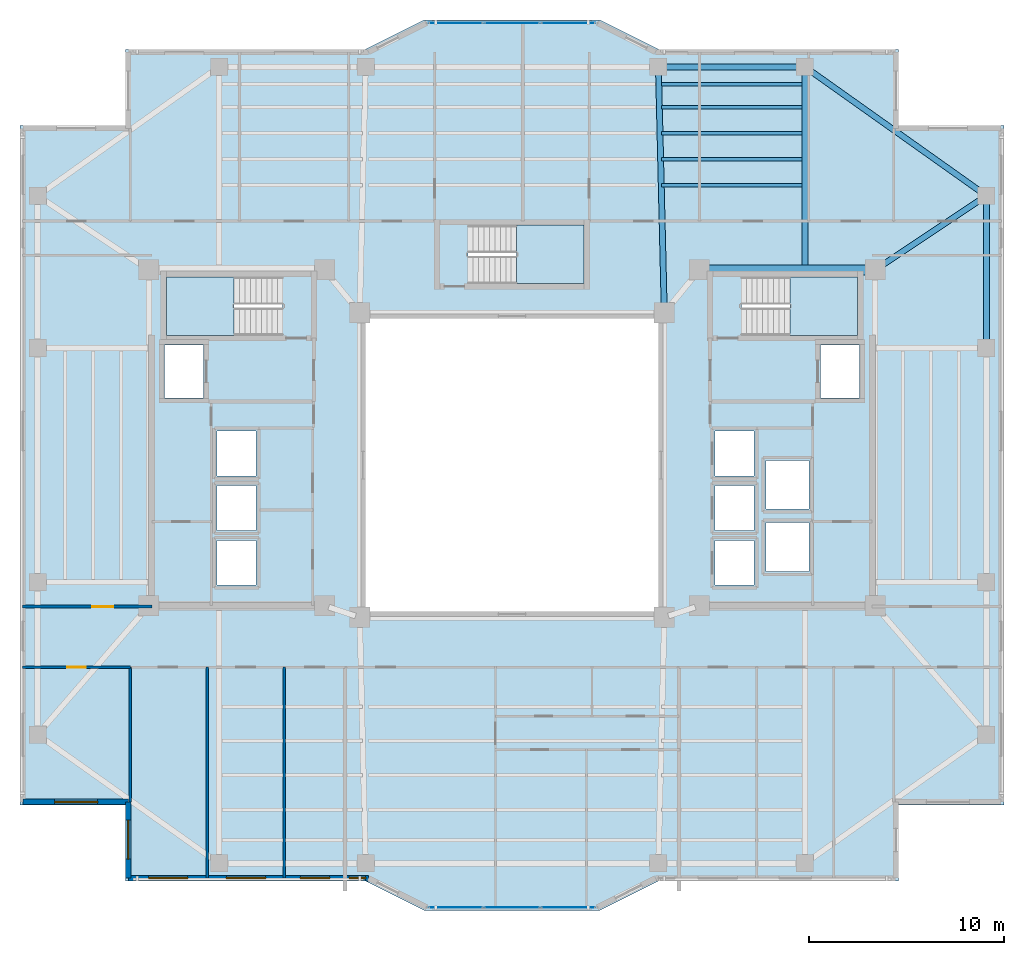
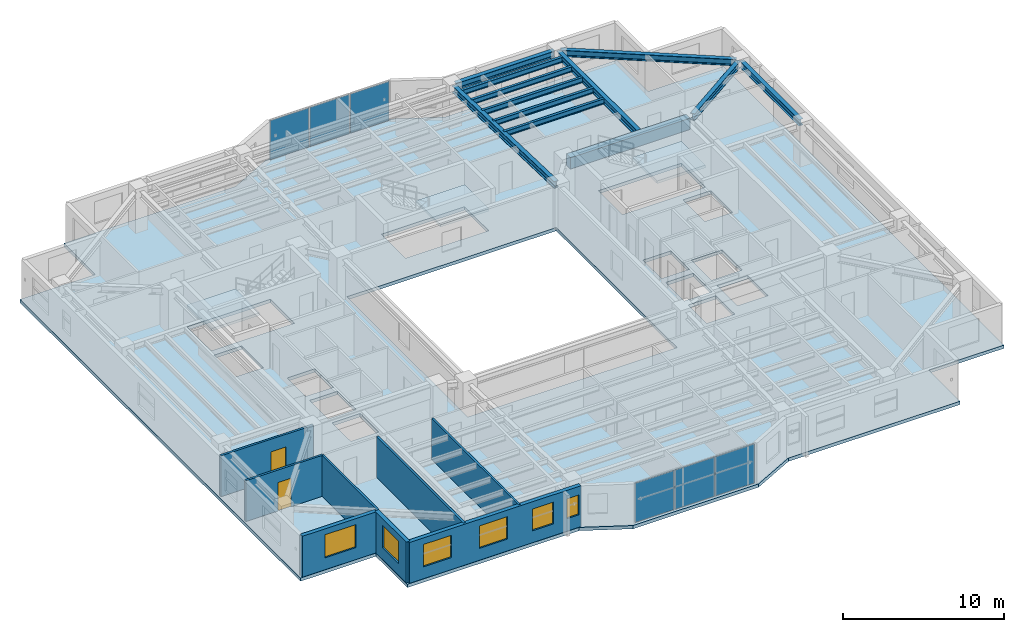
# One storey, part 5 of 15: 12 beams, 8 walls, 6 plates, 6 windows, 4 slabs, 2 doors, 8 openings, 5 elements without a shape of their own.
"""IFC4 building model written with IfcOpenShell, lengths in metres."""

from ifc_helpers import new_model, si_unit, direction, frame, frame_2d, origin, origin_2d, place, context, subcontext, project, spatial, polyline, rectangle, i_section, outline, extrude, material, layer, layer_set, material_profile, profile_set, type_object, element, fill, aggregate, save


model = new_model("IFC4")

# Units and contexts
model_context = context("Model", 3, precision=1e-05, world=origin(), true_north=direction((0.0, 1.0)))
body_context = subcontext(model_context, "Body", "Model", "MODEL_VIEW")
ifc_project = project(units=[si_unit("LENGTHUNIT", "METRE"), si_unit("AREAUNIT", "SQUARE_METRE"), si_unit("VOLUMEUNIT", "CUBIC_METRE"), si_unit("PLANEANGLEUNIT", "RADIAN"), si_unit("MASSUNIT", "GRAM", prefix="KILO")], contexts=[model_context])

# Site, building, storey
site_placement = place(None, origin())
site = spatial("IfcSite", under=ifc_project, at=site_placement, CompositionType="ELEMENT")
building_placement = place(site_placement, origin())
building = spatial("IfcBuilding", under=site, at=building_placement, Name="Tarnavaz Court Tower", CompositionType="ELEMENT")
storey_placement = place(building_placement, frame((0.0, 0.0, 139.300048828125)))
storey = spatial("IfcBuildingStorey", under=building, at=storey_placement, Name="L37", CompositionType="ELEMENT", Elevation=139.300048828125)

# Beams
ifc_material_1 = material(Name="Concrete C50/60", Category="concrete")
ifc_material_profile_1 = material_profile(ifc_material_1, rectangle(XDim=0.5, YDim=0.85009765625, at=origin_2d()), Name="RC 500X850")
ifc_profile_set_1 = profile_set([ifc_material_profile_1], Name="Concrete C50/60")
beam_type_1 = type_object("IfcBeamType", Name="BM-CB850", PredefinedType="LINTEL", material=ifc_profile_set_1)
beam_1_placement = place(storey_placement, frame((18.3798828125, 10.0, 2.675048828125), z_axis=(-1.0, 0.0, 0.0), x_axis=(0.0, -1.0, 0.0)))
element("IfcBeam", 1, at=beam_1_placement, inside=storey, type_object=beam_type_1, Name="L37 Beam IN-CE-NO-CE-NI", PredefinedType="LINTEL", context=body_context, shape_type="SweptSolid", body=[
    extrude(rectangle(XDim=0.5, YDim=0.85009765625, at=origin_2d()), origin(), (0.0, 0.0, 1.0), 8.559814453125),
])
ifc_material_2 = material(Name="Steel S355", Category="steel")
ifc_material_profile_2 = material_profile(ifc_material_2, i_section(OverallWidth=0.300048828125, OverallDepth=0.5, WebThickness=0.014404296875, FlangeThickness=0.028076171875, FilletRadius=0.027099609375, at=origin_2d()), Name="HEB 500")
ifc_profile_set_2 = profile_set([ifc_material_profile_2], Name="Steel S355")
beam_type_2 = type_object("IfcBeamType", Name="BM-G-HEB500", PredefinedType="USERDEFINED", material=ifc_profile_set_2)
beam_2_placement = place(storey_placement, frame((7.794921875, 8.02001953125, 2.849853515625), z_axis=(-0.023824748444, 0.999716150395, 0.0), x_axis=(-0.999716150395, -0.023824748444, 0.0)))
element("IfcBeam", 2, at=beam_2_placement, inside=storey, type_object=beam_type_2, Name="L37 Beam RG-03", ObjectType="GIRDER", PredefinedType="USERDEFINED", context=body_context, shape_type="SweptSolid", body=[
    extrude(i_section(OverallWidth=0.300048828125, OverallDepth=0.5, WebThickness=0.014404296875, FlangeThickness=0.028076171875, FilletRadius=0.027099609375, at=origin_2d()), origin(), (0.0, 0.0, 1.0), 12.16357421875),
])
beam_3_placement = place(storey_placement, frame((15.0, 10.0400390625, 2.849853515625), z_axis=(0.0, 1.0, 0.0), x_axis=(-1.0, 0.0, 0.0)))
element("IfcBeam", 3, at=beam_3_placement, inside=storey, type_object=beam_type_2, Name="L37 Beam RG-04", ObjectType="GIRDER", PredefinedType="USERDEFINED", context=body_context, shape_type="SweptSolid", body=[
    extrude(i_section(OverallWidth=0.300048828125, OverallDepth=0.5, WebThickness=0.014404296875, FlangeThickness=0.028076171875, FilletRadius=0.027099609375, at=origin_2d()), origin(), (0.0, 0.0, 1.0), 10.139892578125),
])
beam_4_placement = place(storey_placement, frame((18.783203125, 10.1220703125, 2.849853515625), z_axis=(0.832044435051, 0.554708985056, 0.0), x_axis=(-0.554708985056, 0.832044435051, 0.0)))
element("IfcBeam", 4, at=beam_4_placement, inside=storey, type_object=beam_type_2, Name="L37 Beam RG-12", ObjectType="GIRDER", PredefinedType="USERDEFINED", context=body_context, shape_type="SweptSolid", body=[
    extrude(i_section(OverallWidth=0.300048828125, OverallDepth=0.5, WebThickness=0.014404296875, FlangeThickness=0.028076171875, FilletRadius=0.027099609375, at=origin_2d()), origin(), (0.0, 0.0, 1.0), 6.410400390625),
])
ifc_material_profile_3 = material_profile(ifc_material_2, i_section(OverallWidth=0.179931640625, OverallDepth=0.39990234375, WebThickness=0.008544921875, FlangeThickness=0.013427734375, FilletRadius=0.02099609375, at=origin_2d()), Name="IPE 400")
ifc_profile_set_3 = profile_set([ifc_material_profile_3], Name="Steel S355")
beam_type_3 = type_object("IfcBeamType", Name="BM-J-IPE400", PredefinedType="JOIST", material=ifc_profile_set_3)
for number, where, z_axis, x_axis, name in (
    (5, (7.64990234375, 14.33203125, 2.89990234375), (1.0, 0.0, 0.0), (0.0, 1.0, 0.0), "L37 Beam JN1-3"),
    (6, (7.64990234375, 15.6640625, 2.89990234375), (1.0, 0.0, 0.0), (0.0, 1.0, 0.0), "L37 Beam JN2-3"),
    (7, (7.64990234375, 16.99609375, 2.89990234375), (1.0, 0.0, 0.0), (0.0, 1.0, 0.0), "L37 Beam JN3-3"),
    (8, (7.64990234375, 18.327880859375, 2.89990234375), (1.0, 0.0, 0.0), (0.0, 1.0, 0.0), "L37 Beam JN4-3"),
    (9, (7.64990234375, 19.511962890625, 2.89990234375), (1.0, 0.0, 0.0), (0.0, 1.0, 0.0), "L37 Beam JN5-3"),
):
    element("IfcBeam", number, at=place(storey_placement, frame(where, z_axis=z_axis, x_axis=x_axis)), inside=storey, type_object=beam_type_3, Name=name, PredefinedType="JOIST", context=body_context, shape_type="SweptSolid", body=[
        extrude(i_section(OverallWidth=0.179931640625, OverallDepth=0.39990234375, WebThickness=0.008544921875, FlangeThickness=0.013427734375, FilletRadius=0.02099609375, at=origin_2d()), origin(), (0.0, 0.0, 1.0), 7.2001953125),
    ])
ifc_material_profile_4 = material_profile(ifc_material_2, i_section(OverallWidth=0.300048828125, OverallDepth=0.489990234375, WebThickness=0.011962890625, FlangeThickness=0.02294921875, FilletRadius=0.027099609375, at=origin_2d()), Name="HEA 500")
ifc_profile_set_4 = profile_set([ifc_material_profile_4], Name="Steel S355")
beam_type_4 = type_object("IfcBeamType", Name="BM-SP-HEA500", PredefinedType="SPANDREL", material=ifc_profile_set_4)
beam_5_placement = place(storey_placement, frame((7.719970703125, 20.39990234375, 2.85498046875), z_axis=(1.0, 0.0, 0.0), x_axis=(0.0, 1.0, 0.0)))
element("IfcBeam", 10, at=beam_5_placement, inside=storey, type_object=beam_type_4, Name="L37 Beam PR-PN-3-PN-4", PredefinedType="SPANDREL", context=body_context, shape_type="SweptSolid", body=[
    extrude(i_section(OverallWidth=0.300048828125, OverallDepth=0.489990234375, WebThickness=0.011962890625, FlangeThickness=0.02294921875, FilletRadius=0.027099609375, at=origin_2d()), origin(), (0.0, 0.0, 1.0), 7.06005859375),
])
beam_6_placement = place(storey_placement, frame((24.300048828125, 6.219970703125, 2.85498046875), z_axis=(0.0, 1.0, 0.0), x_axis=(-1.0, 0.0, 0.0)))
element("IfcBeam", 11, at=beam_6_placement, inside=storey, type_object=beam_type_4, Name="L37 Beam PR-PE-3-PE-4", PredefinedType="SPANDREL", context=body_context, shape_type="SweptSolid", body=[
    extrude(i_section(OverallWidth=0.300048828125, OverallDepth=0.489990234375, WebThickness=0.011962890625, FlangeThickness=0.02294921875, FilletRadius=0.027099609375, at=origin_2d()), origin(), (0.0, 0.0, 1.0), 7.360107421875),
])
beam_7_placement = place(storey_placement, frame((15.179443359375, 20.272705078125, 2.85498046875), z_axis=(0.815502059396, -0.57875417158, 0.0), x_axis=(0.57875417158, 0.815502059396, 0.0)))
element("IfcBeam", 12, at=beam_7_placement, inside=storey, type_object=beam_type_4, Name="L37 Beam PR-PN-4-PE-4", PredefinedType="SPANDREL", context=body_context, shape_type="SweptSolid", body=[
    extrude(i_section(OverallWidth=0.300048828125, OverallDepth=0.489990234375, WebThickness=0.011962890625, FlangeThickness=0.02294921875, FilletRadius=0.027099609375, at=origin_2d()), origin(), (0.0, 0.0, 1.0), 10.964111328125),
])

# Curtain wall, plates
ifc_material_3 = material(Name="Anodised Aluminium 6063-T6 and Solar Low-E Glazing", Category="aluminium")
ifc_layer_1 = layer(ifc_material_3, 0.159912109375)
ifc_layer_set_1 = layer_set([ifc_layer_1], Name="Anodised Aluminium 6063-T6 and Solar Low-E Glazing")
curtain_wall_type = type_object("IfcCurtainWallType", Name="CW-SYS-03", PredefinedType="NOTDEFINED", material=ifc_layer_set_1)
curtain_wall_1_placement = place(storey_placement, origin())
curtain_wall_1 = element("IfcCurtainWall", 13, at=curtain_wall_1_placement, inside=storey, type_object=curtain_wall_type, Name="L37 Iwan Prow Curtain Wall 7", PredefinedType="NOTDEFINED")
ifc_material_4 = material(Name="Double-Glazed Solar Low-E Glass", Category="glass")
ifc_layer_2 = layer(ifc_material_4, 0.028076171875)
ifc_layer_set_2 = layer_set([ifc_layer_2], Name="Double-Glazed Solar Low-E Glass")
plate_type = type_object("IfcPlateType", Name="CW-PAN-GLZ28", PredefinedType="CURTAIN_PANEL", material=ifc_layer_set_2)
plate_1_placement = place(storey_placement, frame((-2.88134765625, 22.64990234375, 0.06494140625), z_axis=(0.0, 0.0, 1.0), x_axis=(1.0, 0.0, 0.0)))
plate_1 = element("IfcPlate", 14, at=plate_1_placement, type_object=plate_type, Name="CW panel 1.1", PredefinedType="CURTAIN_PANEL", context=body_context, shape_type="SweptSolid", body=[
    extrude(rectangle(XDim=2.78759765625, YDim=0.028076171875, at=origin_2d()), origin(), (0.0, 0.0, 1.0), 2.969970703125),
])
plate_2_placement = place(storey_placement, frame((0.0, 22.64990234375, 0.06494140625), z_axis=(0.0, 0.0, 1.0), x_axis=(1.0, 0.0, 0.0)))
plate_2 = element("IfcPlate", 15, at=plate_2_placement, type_object=plate_type, Name="CW panel 2.1", PredefinedType="CURTAIN_PANEL", context=body_context, shape_type="SweptSolid", body=[
    extrude(rectangle(XDim=2.824951171875, YDim=0.028076171875, at=origin_2d()), origin(), (0.0, 0.0, 1.0), 2.969970703125),
])
plate_3_placement = place(storey_placement, frame((2.88134765625, 22.64990234375, 0.06494140625), z_axis=(0.0, 0.0, 1.0), x_axis=(1.0, 0.0, 0.0)))
plate_3 = element("IfcPlate", 16, at=plate_3_placement, type_object=plate_type, Name="CW panel 3.1", PredefinedType="CURTAIN_PANEL", context=body_context, shape_type="SweptSolid", body=[
    extrude(rectangle(XDim=2.78759765625, YDim=0.028076171875, at=origin_2d()), origin(), (0.0, 0.0, 1.0), 2.969970703125),
])
aggregate(curtain_wall_1, [plate_1, plate_2, plate_3])

curtain_wall_2_placement = place(storey_placement, origin())
curtain_wall_2 = element("IfcCurtainWall", 17, at=curtain_wall_2_placement, inside=storey, type_object=curtain_wall_type, Name="L37 Iwan Prow Curtain Wall 17", PredefinedType="NOTDEFINED")
plate_4_placement = place(storey_placement, frame((2.88134765625, -22.64990234375, 0.06494140625), z_axis=(0.0, 0.0, 1.0), x_axis=(-1.0, 0.0, 0.0)))
plate_4 = element("IfcPlate", 18, at=plate_4_placement, type_object=plate_type, Name="CW panel 1.1", PredefinedType="CURTAIN_PANEL", context=body_context, shape_type="SweptSolid", body=[
    extrude(rectangle(XDim=2.78759765625, YDim=0.028076171875, at=origin_2d()), origin(), (0.0, 0.0, 1.0), 2.969970703125),
])
plate_5_placement = place(storey_placement, frame((0.0, -22.64990234375, 0.06494140625), z_axis=(0.0, 0.0, 1.0), x_axis=(-1.0, 0.0, 0.0)))
plate_5 = element("IfcPlate", 19, at=plate_5_placement, type_object=plate_type, Name="CW panel 2.1", PredefinedType="CURTAIN_PANEL", context=body_context, shape_type="SweptSolid", body=[
    extrude(rectangle(XDim=2.824951171875, YDim=0.028076171875, at=origin_2d()), origin(), (0.0, 0.0, 1.0), 2.969970703125),
])
plate_6_placement = place(storey_placement, frame((-2.88134765625, -22.64990234375, 0.06494140625), z_axis=(0.0, 0.0, 1.0), x_axis=(-1.0, 0.0, 0.0)))
plate_6 = element("IfcPlate", 20, at=plate_6_placement, type_object=plate_type, Name="CW panel 3.1", PredefinedType="CURTAIN_PANEL", context=body_context, shape_type="SweptSolid", body=[
    extrude(rectangle(XDim=2.78759765625, YDim=0.028076171875, at=origin_2d()), origin(), (0.0, 0.0, 1.0), 2.969970703125),
])
aggregate(curtain_wall_2, [plate_4, plate_5, plate_6])

# Stair, slab
ifc_material_5 = material(Name="Concrete C40/50", Category="concrete")
stair_type = type_object("IfcStairType", Name="ST-TWR-20R", PredefinedType="HALF_TURN_STAIR", material=ifc_material_5)
stair_1_placement = place(storey_placement, origin())
stair_1 = element("IfcStair", 21, at=stair_1_placement, inside=storey, type_object=stair_type, Name="L37 West Core Pressurized Exit Stair ST-W1", PredefinedType="HALF_TURN_STAIR")
ifc_layer_3 = layer(ifc_material_5, 0.199951171875)
ifc_layer_set_3 = layer_set([ifc_layer_3], Name="Concrete C40/50")
slab_type_1 = type_object("IfcSlabType", Name="SL-LAND-200", PredefinedType="LANDING", material=ifc_layer_set_3)
slab_1_placement = place(storey_placement, frame((0.0, 0.0, 1.474853515625)))
slab_1 = element("IfcSlab", 22, at=slab_1_placement, type_object=slab_type_1, Name="ST-W1 landing 1", PredefinedType="LANDING", context=body_context, shape_type="SweptSolid", body=[
    extrude(outline(polyline([(-14.239990234375, 9.639892578125), (-17.699951171875, 9.639892578125), (-17.699951171875, 6.64990234375), (-14.239990234375, 6.64990234375), (-14.239990234375, 9.639892578125)])), origin(), (0.0, 0.0, 1.0), 0.2001953125),
])
aggregate(stair_1, [slab_1])

stair_2_placement = place(storey_placement, origin())
stair_2 = element("IfcStair", 23, at=stair_2_placement, inside=storey, type_object=stair_type, Name="L37 East Core Pressurized Exit Stair ST-E1", PredefinedType="HALF_TURN_STAIR")
slab_2_placement = place(storey_placement, frame((0.0, 0.0, 1.474853515625)))
slab_2 = element("IfcSlab", 24, at=slab_2_placement, type_object=slab_type_1, Name="ST-E1 landing 1", PredefinedType="LANDING", context=body_context, shape_type="SweptSolid", body=[
    extrude(outline(polyline([(14.239990234375, 6.64990234375), (17.699951171875, 6.64990234375), (17.699951171875, 9.639892578125), (14.239990234375, 9.639892578125), (14.239990234375, 6.64990234375)])), origin(), (0.0, 0.0, 1.0), 0.2001953125),
])
aggregate(stair_2, [slab_2])

stair_3_placement = place(storey_placement, origin())
stair_3 = element("IfcStair", 25, at=stair_3_placement, inside=storey, type_object=stair_type, Name="L37 North Ring Pressurized Exit Stair ST-N1", PredefinedType="HALF_TURN_STAIR")
slab_3_placement = place(storey_placement, frame((0.0, 0.0, 1.474853515625)))
slab_3 = element("IfcSlab", 26, at=slab_3_placement, type_object=slab_type_1, Name="ST-N1 landing 1", PredefinedType="LANDING", context=body_context, shape_type="SweptSolid", body=[
    extrude(outline(polyline([(0.239990234375, 9.300048828125), (3.699951171875, 9.300048828125), (3.699951171875, 12.2900390625), (0.239990234375, 12.2900390625), (0.239990234375, 9.300048828125)])), origin(), (0.0, 0.0, 1.0), 0.2001953125),
])
aggregate(stair_3, [slab_3])

# Slab
ifc_layer_4 = layer(ifc_material_5, 0.25)
ifc_layer_set_4 = layer_set([ifc_layer_4], Name="Concrete C40/50")
slab_type_2 = type_object("IfcSlabType", Name="SL-RES-250", PredefinedType="FLOOR", material=ifc_layer_set_4)
slab_4_placement = place(storey_placement, frame((0.0, 0.0, -0.25)))
element("IfcSlab", 27, at=slab_4_placement, inside=storey, type_object=slab_type_2, Name="L37 Structural Floor Slab", PredefinedType="FLOOR", context=body_context, shape_type="SweptSolid", body=[
    extrude(outline(polyline([(-19.800048828125, -21.300048828125), (-7.5, -21.300048828125), (-4.5, -22.800048828125), (4.5, -22.800048828125), (7.5, -21.300048828125), (19.800048828125, -21.300048828125), (19.800048828125, -17.39990234375), (25.199951171875, -17.39990234375), (25.199951171875, 17.39990234375), (19.800048828125, 17.39990234375), (19.800048828125, 21.300048828125), (7.5, 21.300048828125), (4.5, 22.800048828125), (-4.5, 22.800048828125), (-7.5, 21.300048828125), (-19.800048828125, 21.300048828125), (-19.800048828125, 17.39990234375), (-25.199951171875, 17.39990234375), (-25.199951171875, -17.39990234375), (-19.800048828125, -17.39990234375), (-19.800048828125, -21.300048828125)]), holes=[polyline([(-7.5, -7.5), (7.5, -7.5), (7.5, 7.5), (-7.5, 7.5), (-7.5, -7.5)]), polyline([(-11.7451171875, 9.639892578125), (-17.699951171875, 9.639892578125), (-17.699951171875, 6.64990234375), (-11.7451171875, 6.64990234375), (-11.7451171875, 9.639892578125)]), polyline([(11.7451171875, 6.64990234375), (17.699951171875, 6.64990234375), (17.699951171875, 9.639892578125), (11.7451171875, 9.639892578125), (11.7451171875, 6.64990234375)]), polyline([(-2.2548828125, 9.300048828125), (3.699951171875, 9.300048828125), (3.699951171875, 12.2900390625), (-2.2548828125, 12.2900390625), (-2.2548828125, 9.300048828125)]), polyline([(-17.800048828125, 3.449951171875), (-15.800048828125, 3.449951171875), (-15.800048828125, 6.14990234375), (-17.800048828125, 6.14990234375), (-17.800048828125, 3.449951171875)]), polyline([(-15.10009765625, -6.14990234375), (-13.10009765625, -6.14990234375), (-13.10009765625, -3.85009765625), (-15.10009765625, -3.85009765625), (-15.10009765625, -6.14990234375)]), polyline([(-15.10009765625, -3.35009765625), (-13.10009765625, -3.35009765625), (-13.10009765625, -1.050048828125), (-15.10009765625, -1.050048828125), (-15.10009765625, -3.35009765625)]), polyline([(-15.10009765625, -0.550048828125), (-13.10009765625, -0.550048828125), (-13.10009765625, 1.75), (-15.10009765625, 1.75), (-15.10009765625, -0.550048828125)]), polyline([(15.800048828125, 3.449951171875), (17.800048828125, 3.449951171875), (17.800048828125, 6.14990234375), (15.800048828125, 6.14990234375), (15.800048828125, 3.449951171875)]), polyline([(10.39990234375, -6.14990234375), (12.39990234375, -6.14990234375), (12.39990234375, -3.85009765625), (10.39990234375, -3.85009765625), (10.39990234375, -6.14990234375)]), polyline([(10.39990234375, -3.35009765625), (12.39990234375, -3.35009765625), (12.39990234375, -1.050048828125), (10.39990234375, -1.050048828125), (10.39990234375, -3.35009765625)]), polyline([(10.39990234375, -0.550048828125), (12.39990234375, -0.550048828125), (12.39990234375, 1.75), (10.39990234375, 1.75), (10.39990234375, -0.550048828125)]), polyline([(13.0, -5.449951171875), (15.199951171875, -5.449951171875), (15.199951171875, -2.949951171875), (13.0, -2.949951171875), (13.0, -5.449951171875)]), polyline([(13.0, -2.25), (15.199951171875, -2.25), (15.199951171875, 0.25), (13.0, 0.25), (13.0, -2.25)])]), origin(), (0.0, 0.0, 1.0), 0.25),
])

# Wall, opening, window
ifc_material_6 = material(Name="Precast Concrete C40/50", Category="concrete")
ifc_layer_5 = layer(ifc_material_6, 0.280029296875)
ifc_layer_set_5 = layer_set([ifc_layer_5], Name="Precast Concrete C40/50")
wall_type_1 = type_object("IfcWallType", Name="WL-EXT-280", PredefinedType="SOLIDWALL", material=ifc_layer_set_5)
wall_1_placement = place(storey_placement, frame((-19.64990234375, -17.25, 0.0), z_axis=(0.0, 0.0, 1.0), x_axis=(-1.0, 0.0, 0.0)))
wall_1 = element("IfcWall", 28, at=wall_1_placement, inside=storey, type_object=wall_type_1, Name="L37 Exterior Terracotta Facade Wall 01", PredefinedType="SOLIDWALL", context=body_context, shape_type="SweptSolid", body=[
    extrude(rectangle(XDim=5.400146484375, YDim=0.280029296875, at=frame_2d((2.7001953125, 0.0))), origin(), (0.0, 0.0, 1.0), 3.099853515625),
])
opening_1_placement = place(wall_1_placement, frame((1.574951171875, 0.0, 0.89990234375)))
opening_1 = element("IfcOpeningElement", 29, at=opening_1_placement, cuts=wall_1, Name="Opening W07", PredefinedType="OPENING", context=body_context, shape_type="SweptSolid", body=[
    extrude(rectangle(XDim=2.199951171875, YDim=1.75, at=frame_2d((1.10009765625, 0.875))), frame((0.0, 0.14990234375, 0.0), z_axis=(0.0, -1.0, 0.0), x_axis=(1.0, 0.0, 0.0)), (0.0, 0.0, 1.0), 0.300048828125),
])
window_type_1 = type_object("IfcWindowType", Name="WN-APT-2200", PartitioningType="TRIPLE_PANEL_VERTICAL", PredefinedType="WINDOW", material=ifc_material_4)
window_1_placement = place(opening_1_placement, origin())
window_1 = element("IfcWindow", 30, at=window_1_placement, inside=storey, type_object=window_type_1, Name="L37 South-West Corner Reading Room Window", OverallHeight=1.75, OverallWidth=2.199951171875, PartitioningType="SINGLE_PANEL", PredefinedType="WINDOW", context=body_context, shape_type="SweptSolid", body=[
    extrude(rectangle(XDim=2.199951171875, YDim=1.75, at=frame_2d((1.10009765625, 0.875))), frame((0.0, 0.030029296875, 0.0), z_axis=(0.0, -1.0, 0.0), x_axis=(1.0, 0.0, 0.0)), (0.0, 0.0, 1.0), 0.06005859375),
])
fill(opening_1, window_1)

# Wall, openings, windows
wall_2_placement = place(storey_placement, frame((-7.35009765625, -21.14990234375, 0.0), z_axis=(0.0, 0.0, 1.0), x_axis=(-1.0, 0.0, 0.0)))
wall_2 = element("IfcWall", 31, at=wall_2_placement, inside=storey, type_object=wall_type_1, Name="L37 Exterior Terracotta Facade Wall 19", PredefinedType="SOLIDWALL", context=body_context, shape_type="SweptSolid", body=[
    extrude(rectangle(XDim=12.2998046875, YDim=0.280029296875, at=frame_2d((6.14990234375, 0.0))), origin(), (0.0, 0.0, 1.0), 3.099853515625),
])
opening_2_placement = place(wall_2_placement, frame((0.147216796875, 0.0, 0.949951171875)))
opening_2 = element("IfcOpeningElement", 32, at=opening_2_placement, cuts=wall_2, Name="Opening W15", PredefinedType="OPENING", context=body_context, shape_type="SweptSolid", body=[
    extrude(rectangle(XDim=0.85009765625, YDim=1.5, at=frame_2d((0.425048828125, 0.75))), frame((0.0, 0.14990234375, 0.0), z_axis=(0.0, -1.0, 0.0), x_axis=(1.0, 0.0, 0.0)), (0.0, 0.0, 1.0), 0.300048828125),
])
opening_3_placement = place(wall_2_placement, frame((1.986083984375, 0.0, 0.89990234375)))
opening_3 = element("IfcOpeningElement", 33, at=opening_3_placement, cuts=wall_2, Name="Opening W03", PredefinedType="OPENING", context=body_context, shape_type="SweptSolid", body=[
    extrude(rectangle(XDim=1.5, YDim=1.64990234375, at=frame_2d((0.75, 0.824951171875))), frame((0.0, 0.14990234375, 0.0), z_axis=(0.0, -1.0, 0.0), x_axis=(1.0, 0.0, 0.0)), (0.0, 0.0, 1.0), 0.300048828125),
])
opening_4_placement = place(wall_2_placement, frame((5.275390625, 0.0, 0.89990234375)))
opening_4 = element("IfcOpeningElement", 34, at=opening_4_placement, cuts=wall_2, Name="Opening W08", PredefinedType="OPENING", context=body_context, shape_type="SweptSolid", body=[
    extrude(rectangle(XDim=2.0, YDim=1.699951171875, at=frame_2d((1.0, 0.85009765625))), frame((0.0, 0.14990234375, 0.0), z_axis=(0.0, -1.0, 0.0), x_axis=(1.0, 0.0, 0.0)), (0.0, 0.0, 1.0), 0.300048828125),
])
opening_5_placement = place(wall_2_placement, frame((9.2666015625, 0.0, 0.89990234375)))
opening_5 = element("IfcOpeningElement", 35, at=opening_5_placement, cuts=wall_2, Name="Opening W08", PredefinedType="OPENING", context=body_context, shape_type="SweptSolid", body=[
    extrude(rectangle(XDim=2.0, YDim=1.699951171875, at=frame_2d((1.0, 0.85009765625))), frame((0.0, 0.14990234375, 0.0), z_axis=(0.0, -1.0, 0.0), x_axis=(1.0, 0.0, 0.0)), (0.0, 0.0, 1.0), 0.300048828125),
])
window_type_2 = type_object("IfcWindowType", Name="WN-APT-1500", PartitioningType="DOUBLE_PANEL_VERTICAL", PredefinedType="WINDOW", material=ifc_material_4)
window_2_placement = place(opening_3_placement, origin())
window_2 = element("IfcWindow", 36, at=window_2_placement, inside=storey, type_object=window_type_2, Name="L37 Shared Community Tea Pantry Window", OverallHeight=1.64990234375, OverallWidth=1.5, PartitioningType="SINGLE_PANEL", PredefinedType="WINDOW", context=body_context, shape_type="SweptSolid", body=[
    extrude(rectangle(XDim=1.5, YDim=1.64990234375, at=frame_2d((0.75, 0.824951171875))), frame((0.0, 0.030029296875, 0.0), z_axis=(0.0, -1.0, 0.0), x_axis=(1.0, 0.0, 0.0)), (0.0, 0.0, 1.0), 0.06005859375),
])
fill(opening_3, window_2)
window_type_3 = type_object("IfcWindowType", Name="WN-APT-2000", PartitioningType="DOUBLE_PANEL_VERTICAL", PredefinedType="WINDOW", material=ifc_material_4)
window_3_placement = place(opening_4_placement, origin())
window_3 = element("IfcWindow", 37, at=window_3_placement, inside=storey, type_object=window_type_3, Name="L37 Children Playroom and Daycare Window", OverallHeight=1.699951171875, OverallWidth=2.0, PartitioningType="SINGLE_PANEL", PredefinedType="WINDOW", context=body_context, shape_type="SweptSolid", body=[
    extrude(rectangle(XDim=2.0, YDim=1.699951171875, at=frame_2d((1.0, 0.85009765625))), frame((0.0, 0.030029296875, 0.0), z_axis=(0.0, -1.0, 0.0), x_axis=(1.0, 0.0, 0.0)), (0.0, 0.0, 1.0), 0.06005859375),
])
fill(opening_4, window_3)
window_4_placement = place(opening_5_placement, origin())
window_4 = element("IfcWindow", 38, at=window_4_placement, inside=storey, type_object=window_type_3, Name="L37 Resident Fitness and Yoga Studio Window", OverallHeight=1.699951171875, OverallWidth=2.0, PartitioningType="SINGLE_PANEL", PredefinedType="WINDOW", context=body_context, shape_type="SweptSolid", body=[
    extrude(rectangle(XDim=2.0, YDim=1.699951171875, at=frame_2d((1.0, 0.85009765625))), frame((0.0, 0.030029296875, 0.0), z_axis=(0.0, -1.0, 0.0), x_axis=(1.0, 0.0, 0.0)), (0.0, 0.0, 1.0), 0.06005859375),
])
fill(opening_5, window_4)
window_type_4 = type_object("IfcWindowType", Name="WN-APT-850", PartitioningType="SINGLE_PANEL", PredefinedType="WINDOW", material=ifc_material_4)
window_5_placement = place(opening_2_placement, origin())
window_5 = element("IfcWindow", 39, at=window_5_placement, inside=storey, type_object=window_type_4, Name="L37 Flat 01 Living and Dining Room Window", OverallHeight=1.5, OverallWidth=0.85009765625, PartitioningType="SINGLE_PANEL", PredefinedType="WINDOW", context=body_context, shape_type="SweptSolid", body=[
    extrude(rectangle(XDim=0.85009765625, YDim=1.5, at=frame_2d((0.425048828125, 0.75))), frame((0.0, 0.030029296875, 0.0), z_axis=(0.0, -1.0, 0.0), x_axis=(1.0, 0.0, 0.0)), (0.0, 0.0, 1.0), 0.06005859375),
])
fill(opening_2, window_5)

# Wall, opening, window
wall_3_placement = place(storey_placement, frame((-19.64990234375, -21.14990234375, 0.0), z_axis=(0.0, 0.0, 1.0), x_axis=(0.0, 1.0, 0.0)))
wall_3 = element("IfcWall", 40, at=wall_3_placement, inside=storey, type_object=wall_type_1, Name="L37 Exterior Terracotta Facade Wall 20", PredefinedType="SOLIDWALL", context=body_context, shape_type="SweptSolid", body=[
    extrude(rectangle(XDim=3.89990234375, YDim=0.280029296875, at=frame_2d((1.949951171875, 0.0))), origin(), (0.0, 0.0, 1.0), 3.099853515625),
])
opening_6_placement = place(wall_3_placement, frame((0.9677734375, 0.0, 0.89990234375)))
opening_6 = element("IfcOpeningElement", 41, at=opening_6_placement, cuts=wall_3, Name="Opening W08", PredefinedType="OPENING", context=body_context, shape_type="SweptSolid", body=[
    extrude(rectangle(XDim=2.0, YDim=1.699951171875, at=frame_2d((1.0, 0.85009765625))), frame((0.0, 0.14990234375, 0.0), z_axis=(0.0, -1.0, 0.0), x_axis=(1.0, 0.0, 0.0)), (0.0, 0.0, 1.0), 0.300048828125),
])
window_6_placement = place(opening_6_placement, origin())
window_6 = element("IfcWindow", 42, at=window_6_placement, inside=storey, type_object=window_type_3, Name="L37 Resident Fitness and Yoga Studio Window", OverallHeight=1.699951171875, OverallWidth=2.0, PartitioningType="SINGLE_PANEL", PredefinedType="WINDOW", context=body_context, shape_type="SweptSolid", body=[
    extrude(rectangle(XDim=2.0, YDim=1.699951171875, at=frame_2d((1.0, 0.85009765625))), frame((0.0, 0.030029296875, 0.0), z_axis=(0.0, -1.0, 0.0), x_axis=(1.0, 0.0, 0.0)), (0.0, 0.0, 1.0), 0.06005859375),
])
fill(opening_6, window_6)

# Wall, opening, door
ifc_material_7 = material(Name="Gypsum Fire-Board on Acoustic Metal Stud", Category="masonry")
ifc_layer_6 = layer(ifc_material_7, 0.14990234375)
ifc_layer_set_6 = layer_set([ifc_layer_6], Name="Gypsum Fire-Board on Acoustic Metal Stud")
wall_type_2 = type_object("IfcWallType", Name="WL-FIRE-150", PredefinedType="PARTITIONING", material=ifc_layer_set_6)
wall_4_placement = place(storey_placement, frame((-25.080078125, -7.25, 0.0), z_axis=(0.0, 0.0, 1.0), x_axis=(1.0, 0.0, 0.0)))
wall_4 = element("IfcWall", 43, at=wall_4_placement, inside=storey, type_object=wall_type_2, Name="L37 Interior Partition 095", PredefinedType="PARTITIONING", context=body_context, shape_type="SweptSolid", body=[
    extrude(rectangle(XDim=6.630126953125, YDim=0.14990234375, at=frame_2d((3.31494140625, 0.0))), origin(), (0.0, 0.0, 1.0), 3.099853515625),
])
opening_7_placement = place(wall_4_placement, frame((3.580078125, 0.0, 0.0)))
opening_7 = element("IfcOpeningElement", 44, at=opening_7_placement, cuts=wall_4, Name="Opening D12", PredefinedType="OPENING", context=body_context, shape_type="SweptSolid", body=[
    extrude(rectangle(XDim=1.080078125, YDim=2.14990234375, at=frame_2d((0.5400390625, 1.074951171875))), frame((0.0, 0.0849609375, 0.0), z_axis=(0.0, -1.0, 0.0), x_axis=(1.0, 0.0, 0.0)), (0.0, 0.0, 1.0), 0.169921875),
])
ifc_material_8 = material(Name="Engineered Oak Timber", Category="wood")
door_type_1 = type_object("IfcDoorType", Name="DR-INT-1100", OperationType="NOTDEFINED", PredefinedType="DOOR", material=ifc_material_8)
door_1_placement = place(opening_7_placement, origin())
door_1 = element("IfcDoor", 45, at=door_1_placement, inside=storey, type_object=door_type_1, Name="L37 West Study Gallery Door", OperationType="SINGLE_SWING_LEFT", OverallHeight=2.14990234375, OverallWidth=1.080078125, PredefinedType="DOOR", context=body_context, shape_type="SweptSolid", body=[
    extrude(rectangle(XDim=1.080078125, YDim=2.14990234375, at=frame_2d((0.5400390625, 1.074951171875))), frame((0.0, 0.02490234375, 0.0), z_axis=(0.0, -1.0, 0.0), x_axis=(1.0, 0.0, 0.0)), (0.0, 0.0, 1.0), 0.050048828125),
])
fill(opening_7, door_1)

wall_5_placement = place(storey_placement, frame((-25.080078125, -10.35009765625, 0.0), z_axis=(0.0, 0.0, 1.0), x_axis=(1.0, 0.0, 0.0)))
wall_5 = element("IfcWall", 46, at=wall_5_placement, inside=storey, type_object=wall_type_2, Name="L37 Interior Partition 105", PredefinedType="PARTITIONING", context=body_context, shape_type="SweptSolid", body=[
    extrude(rectangle(XDim=5.530029296875, YDim=0.14990234375, at=frame_2d((2.76513671875, 0.0))), origin(), (0.0, 0.0, 1.0), 3.099853515625),
])
opening_8_placement = place(wall_5_placement, frame((2.2900390625, 0.0, 0.0)))
opening_8 = element("IfcOpeningElement", 47, at=opening_8_placement, cuts=wall_5, Name="Opening D13", PredefinedType="OPENING", context=body_context, shape_type="SweptSolid", body=[
    extrude(rectangle(XDim=0.949951171875, YDim=2.14990234375, at=frame_2d((0.47509765625, 1.074951171875))), frame((0.0, 0.0849609375, 0.0), z_axis=(0.0, -1.0, 0.0), x_axis=(1.0, 0.0, 0.0)), (0.0, 0.0, 1.0), 0.169921875),
])
door_type_2 = type_object("IfcDoorType", Name="DR-INT-950", OperationType="NOTDEFINED", PredefinedType="DOOR", material=ifc_material_8)
door_2_placement = place(opening_8_placement, origin())
door_2 = element("IfcDoor", 48, at=door_2_placement, inside=storey, type_object=door_type_2, Name="L37 SW Reading Room Door", OperationType="SINGLE_SWING_LEFT", OverallHeight=2.14990234375, OverallWidth=0.949951171875, PredefinedType="DOOR", context=body_context, shape_type="SweptSolid", body=[
    extrude(rectangle(XDim=0.949951171875, YDim=2.14990234375, at=frame_2d((0.47509765625, 1.074951171875))), frame((0.0, 0.02490234375, 0.0), z_axis=(0.0, -1.0, 0.0), x_axis=(1.0, 0.0, 0.0)), (0.0, 0.0, 1.0), 0.050048828125),
])
fill(opening_8, door_2)

# Walls
ifc_material_9 = material(Name="Gypsum Plasterboard Acoustic Partition", Category="masonry")
ifc_layer_7 = layer(ifc_material_9, 0.139892578125)
ifc_layer_set_7 = layer_set([ifc_layer_7], Name="Gypsum Plasterboard Acoustic Partition")
wall_type_3 = type_object("IfcWallType", Name="WL-PART-150", PredefinedType="PARTITIONING", material=ifc_layer_set_7)
for number, where, z_axis, x_axis, name in (
    (49, (-15.60791015625, -21.14990234375, 0.0), (0.0, 0.0, 1.0), (0.0, 1.0, 0.0), "L37 Interior Partition 082"),
    (50, (-11.666015625, -21.14990234375, 0.0), (0.0, 0.0, 1.0), (0.0, 1.0, 0.0), "L37 Interior Partition 083"),
):
    element("IfcWall", number, at=place(storey_placement, frame(where, z_axis=z_axis, x_axis=x_axis)), inside=storey, type_object=wall_type_3, Name=name, PredefinedType="PARTITIONING", context=body_context, shape_type="SweptSolid", body=[
        extrude(rectangle(XDim=10.7998046875, YDim=0.139892578125, at=frame_2d((5.39990234375, 0.0))), origin(), (0.0, 0.0, 1.0), 3.099853515625),
    ])
wall_6_placement = place(storey_placement, frame((-19.550048828125, -17.25, 0.0), z_axis=(0.0, 0.0, 1.0), x_axis=(0.0, 1.0, 0.0)))
element("IfcWall", 51, at=wall_6_placement, inside=storey, type_object=wall_type_3, Name="L37 Interior Partition 099", PredefinedType="PARTITIONING", context=body_context, shape_type="SweptSolid", body=[
    extrude(rectangle(XDim=6.89990234375, YDim=0.139892578125, at=frame_2d((3.449951171875, 0.0))), origin(), (0.0, 0.0, 1.0), 3.099853515625),
])

save(model, "model.ifc")
